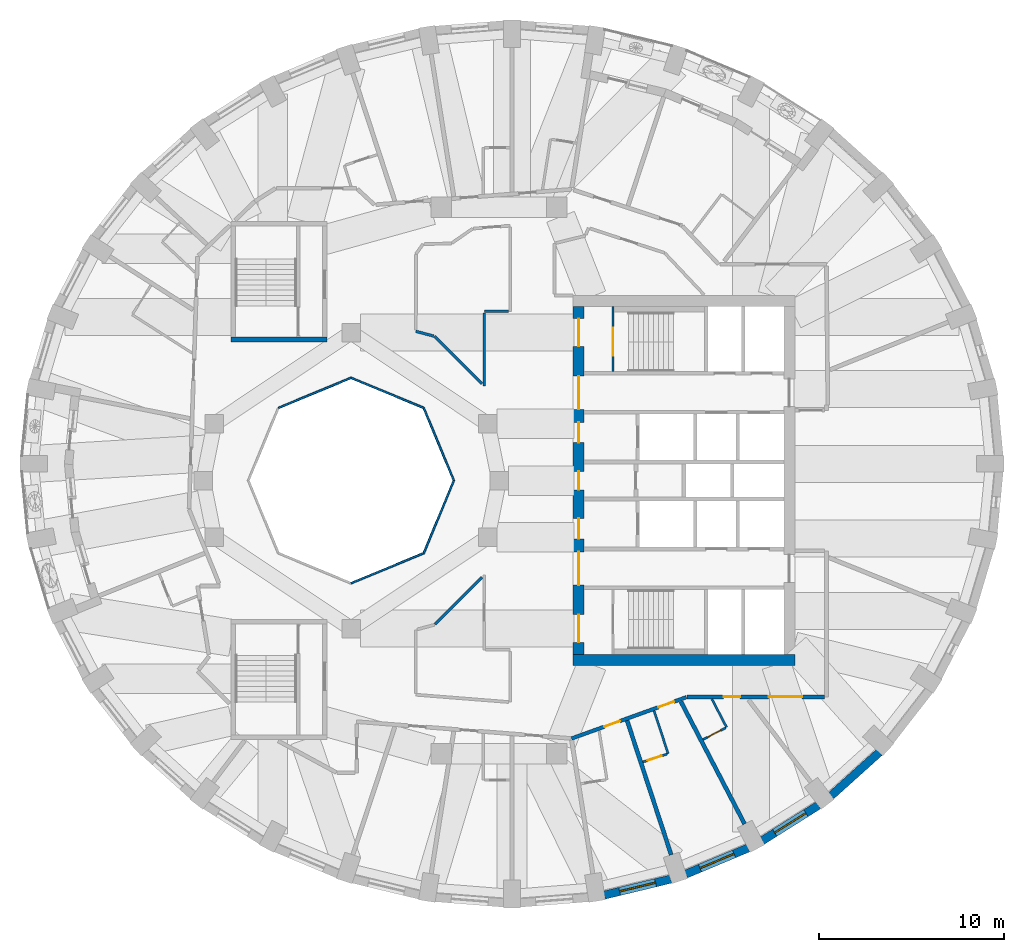
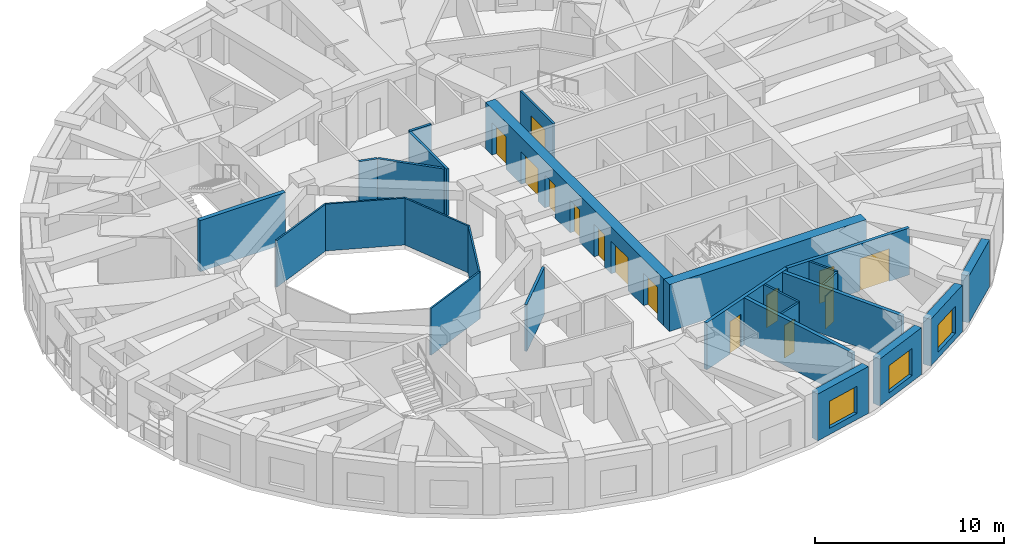
# One storey, part 5 of 12: 26 walls, 14 doors, 3 windows, 17 openings.
"""IFC4 building model written with IfcOpenShell, lengths in metres."""

from ifc_helpers import new_model, si_unit, direction, frame, frame_2d, origin, place, context, subcontext, project, spatial, rectangle, extrude, material, layer, layer_set, type_object, element, fill, save


model = new_model("IFC4")

# Units and contexts
model_context = context("Model", 3, precision=1e-05, world=origin(), true_north=direction((0.0, 1.0)))
body_context = subcontext(model_context, "Body", "Model", "MODEL_VIEW")
ifc_project = project(units=[si_unit("LENGTHUNIT", "METRE"), si_unit("AREAUNIT", "SQUARE_METRE"), si_unit("VOLUMEUNIT", "CUBIC_METRE"), si_unit("PLANEANGLEUNIT", "RADIAN"), si_unit("MASSUNIT", "GRAM", prefix="KILO")], contexts=[model_context])

# Site, building, storey
site_placement = place(None, origin())
site = spatial("IfcSite", under=ifc_project, at=site_placement, CompositionType="ELEMENT")
building_placement = place(site_placement, origin())
building = spatial("IfcBuilding", under=site, at=building_placement, Name="Taillehof Tower", CompositionType="ELEMENT")
storey_placement = place(building_placement, frame((0.0, 0.0, 189.199951171875)))
storey = spatial("IfcBuildingStorey", under=building, at=storey_placement, Name="L53", CompositionType="ELEMENT", Elevation=189.199951171875)

# Walls
ifc_material_1 = material(Name="Fire-resisting glass in steel frame", Category="steel")
ifc_layer_1 = layer(ifc_material_1, 0.10009765625)
ifc_layer_set_1 = layer_set([ifc_layer_1], Name="Atrium fire-resisting screen EI 60 100")
wall_type_1 = type_object("IfcWallType", Name="Atrium fire-resisting screen EI 60 100", PredefinedType="PARTITIONING", material=ifc_layer_set_1)
for number, where, z_axis, x_axis, name in (
    (1, (-2.44580078125, 0.0, 0.0), (0.0, 0.0, 1.0), (-0.382730523909, -0.923860025149, 0.0), "Atrium screen"),
    (2, (-4.07275390625, -3.92724609375, 0.0), (0.0, 0.0, 1.0), (-0.923860025149, -0.382730523909, 0.0), "Atrium screen"),
    (3, (-11.92724609375, 3.92724609375, 0.0), (0.0, 0.0, 1.0), (0.923860025149, 0.382730523909, 0.0), "Atrium screen"),
    (4, (-8.0, 5.55419921875, 0.0), (0.0, 0.0, 1.0), (0.923860025149, -0.382730523909, 0.0), "Atrium screen"),
    (5, (-4.07275390625, 3.92724609375, 0.0), (0.0, 0.0, 1.0), (0.382730523909, -0.923860025149, 0.0), "Atrium screen"),
):
    element("IfcWall", number, at=place(storey_placement, frame(where, z_axis=z_axis, x_axis=x_axis)), inside=storey, type_object=wall_type_1, Name=name, PredefinedType="PARTITIONING", context=body_context, shape_type="SweptSolid", body=[
        extrude(rectangle(XDim=4.2509765625, YDim=0.10009765625, at=frame_2d((2.12548828125, 0.0))), origin(), (0.0, 0.0, 1.0), 3.02001953125),
    ])

# Wall, opening, window
ifc_material_2 = material(Name="Brick masonry", Category="masonry")
ifc_layer_2 = layer(ifc_material_2, 0.449951171875)
ifc_layer_set_2 = layer_set([ifc_layer_2], Name="Brick infill wall 450")
wall_type_2 = type_object("IfcWallType", Name="Brick infill wall 450", PredefinedType="SOLIDWALL", material=ifc_layer_set_2)
wall_1_placement = place(storey_placement, frame((5.690673828125, -22.41357421875, 0.0), z_axis=(0.0, 0.0, 1.0), x_axis=(0.9721584944, 0.234324266275, 0.0)))
wall_1 = element("IfcWall", 6, at=wall_1_placement, inside=storey, type_object=wall_type_2, Name="Brick wall L53 bay 29", PredefinedType="SOLIDWALL", context=body_context, shape_type="SweptSolid", body=[
    extrude(rectangle(XDim=3.69775390625, YDim=0.449951171875, at=frame_2d((1.848876953125, 0.0))), origin(), (0.0, 0.0, 1.0), 3.02001953125),
])
opening_1_placement = place(wall_1_placement, frame((0.848876953125, 0.0, 0.39990234375)))
opening_1 = element("IfcOpeningElement", 7, at=opening_1_placement, cuts=wall_1, Name="Opening W2", PredefinedType="OPENING", context=body_context, shape_type="SweptSolid", body=[
    extrude(rectangle(XDim=2.0, YDim=1.75, at=frame_2d((1.0, 0.875))), frame((0.0, 0.23486328125, 0.0), z_axis=(0.0, -1.0, 0.0), x_axis=(1.0, 0.0, 0.0)), (0.0, 0.0, 1.0), 0.469970703125),
])
ifc_material_3 = material(Name="Aluminium window frame with clear double glazing", Category="aluminium")
window_type = type_object("IfcWindowType", Name="Deep-set window 2000x1750", PartitioningType="SINGLE_PANEL", PredefinedType="WINDOW", material=ifc_material_3)
window_1_placement = place(opening_1_placement, origin())
window_1 = element("IfcWindow", 8, at=window_1_placement, inside=storey, type_object=window_type, Name="W2", OverallHeight=1.75, OverallWidth=2.0, PartitioningType="SINGLE_PANEL", PredefinedType="WINDOW", context=body_context, shape_type="SweptSolid", body=[
    extrude(rectangle(XDim=2.0, YDim=1.75, at=frame_2d((1.0, 0.875))), frame((0.0, 0.034912109375, 0.0), z_axis=(0.0, -1.0, 0.0), x_axis=(1.0, 0.0, 0.0)), (0.0, 0.0, 1.0), 0.06005859375),
])
fill(opening_1, window_1)

wall_2_placement = place(storey_placement, frame((10.1025390625, -21.279052734375, 0.0), z_axis=(0.0, 0.0, 1.0), x_axis=(0.922168222612, 0.386789050006, 0.0)))
wall_2 = element("IfcWall", 9, at=wall_2_placement, inside=storey, type_object=wall_type_2, Name="Brick wall L53 bay 30", PredefinedType="SOLIDWALL", context=body_context, shape_type="SweptSolid", body=[
    extrude(rectangle(XDim=3.65087890625, YDim=0.449951171875, at=frame_2d((1.825439453125, 0.0))), origin(), (0.0, 0.0, 1.0), 3.02001953125),
])
opening_2_placement = place(wall_2_placement, frame((0.825439453125, 0.0, 0.39990234375)))
opening_2 = element("IfcOpeningElement", 10, at=opening_2_placement, cuts=wall_2, Name="Opening W2", PredefinedType="OPENING", context=body_context, shape_type="SweptSolid", body=[
    extrude(rectangle(XDim=2.0, YDim=1.75, at=frame_2d((1.0, 0.875))), frame((0.0, 0.23486328125, 0.0), z_axis=(0.0, -1.0, 0.0), x_axis=(1.0, 0.0, 0.0)), (0.0, 0.0, 1.0), 0.469970703125),
])
window_2_placement = place(opening_2_placement, origin())
window_2 = element("IfcWindow", 11, at=window_2_placement, inside=storey, type_object=window_type, Name="W2", OverallHeight=1.75, OverallWidth=2.0, PartitioningType="SINGLE_PANEL", PredefinedType="WINDOW", context=body_context, shape_type="SweptSolid", body=[
    extrude(rectangle(XDim=2.0, YDim=1.75, at=frame_2d((1.0, 0.875))), frame((0.0, 0.034912109375, 0.0), z_axis=(0.0, -1.0, 0.0), x_axis=(1.0, 0.0, 0.0)), (0.0, 0.0, 1.0), 0.06005859375),
])
fill(opening_2, window_2)

wall_3_placement = place(storey_placement, frame((14.232421875, -19.469970703125, 0.0), z_axis=(0.0, 0.0, 1.0), x_axis=(0.84614984472, 0.532945063098, 0.0)))
wall_3 = element("IfcWall", 12, at=wall_3_placement, inside=storey, type_object=wall_type_2, Name="Brick wall L53 bay 31", PredefinedType="SOLIDWALL", context=body_context, shape_type="SweptSolid", body=[
    extrude(rectangle(XDim=3.58642578125, YDim=0.449951171875, at=frame_2d((1.793212890625, 0.0))), origin(), (0.0, 0.0, 1.0), 3.02001953125),
])
opening_3_placement = place(wall_3_placement, frame((0.79345703125, 0.0, 0.39990234375)))
opening_3 = element("IfcOpeningElement", 13, at=opening_3_placement, cuts=wall_3, Name="Opening W2", PredefinedType="OPENING", context=body_context, shape_type="SweptSolid", body=[
    extrude(rectangle(XDim=2.0, YDim=1.75, at=frame_2d((1.0, 0.875))), frame((0.0, 0.23486328125, 0.0), z_axis=(0.0, -1.0, 0.0), x_axis=(1.0, 0.0, 0.0)), (0.0, 0.0, 1.0), 0.469970703125),
])
window_3_placement = place(opening_3_placement, origin())
window_3 = element("IfcWindow", 14, at=window_3_placement, inside=storey, type_object=window_type, Name="W2", OverallHeight=1.75, OverallWidth=2.0, PartitioningType="SINGLE_PANEL", PredefinedType="WINDOW", context=body_context, shape_type="SweptSolid", body=[
    extrude(rectangle(XDim=2.0, YDim=1.75, at=frame_2d((1.0, 0.875))), frame((0.0, 0.034912109375, 0.0), z_axis=(0.0, -1.0, 0.0), x_axis=(1.0, 0.0, 0.0)), (0.0, 0.0, 1.0), 0.06005859375),
])
fill(opening_3, window_3)

# Wall
wall_4_placement = place(storey_placement, frame((17.953369140625, -17.039794921875, 0.0), z_axis=(0.0, 0.0, 1.0), x_axis=(0.743442727602, 0.668799604348, 0.0)))
element("IfcWall", 15, at=wall_4_placement, inside=storey, type_object=wall_type_2, Name="Brick wall L53 bay 32", PredefinedType="SOLIDWALL", context=body_context, shape_type="SweptSolid", body=[
    extrude(rectangle(XDim=3.5126953125, YDim=0.449951171875, at=frame_2d((1.75634765625, 0.0))), origin(), (0.0, 0.0, 1.0), 3.02001953125),
])

# Wall, openings, doors
ifc_material_4 = material(Name="Gypsum board on steel studs, two layers each side", Category="steel")
ifc_layer_3 = layer(ifc_material_4, 0.199951171875)
ifc_layer_set_3 = layer_set([ifc_layer_3], Name="Compartment wall corridor 200")
wall_type_3 = type_object("IfcWallType", Name="Compartment wall corridor 200", PredefinedType="PARTITIONING", material=ifc_layer_set_3)
wall_5_placement = place(storey_placement, frame((17.599853515625, -11.699951171875, 0.0), z_axis=(0.0, 0.0, 1.0), x_axis=(-1.0, 0.0, 0.0)))
wall_5 = element("IfcWall", 16, at=wall_5_placement, inside=storey, type_object=wall_type_3, Name="Compartment wall", PredefinedType="PARTITIONING", context=body_context, shape_type="SweptSolid", body=[
    extrude(rectangle(XDim=7.43701171875, YDim=0.199951171875, at=frame_2d((3.718505859375, 0.0))), origin(), (0.0, 0.0, 1.0), 3.02001953125),
])
opening_4_placement = place(wall_5_placement, frame((4.56201171875, 0.0, 0.0)))
opening_4 = element("IfcOpeningElement", 17, at=opening_4_placement, cuts=wall_5, Name="Opening D5366", PredefinedType="OPENING", context=body_context, shape_type="SweptSolid", body=[
    extrude(rectangle(XDim=0.89990234375, YDim=2.10009765625, at=frame_2d((0.449951171875, 1.050048828125))), frame((0.0, 0.10986328125, 0.0), z_axis=(0.0, -1.0, 0.0), x_axis=(1.0, 0.0, 0.0)), (0.0, 0.0, 1.0), 0.219970703125),
])
opening_5_placement = place(wall_5_placement, frame((1.220458984375, 0.0, 0.0)))
opening_5 = element("IfcOpeningElement", 18, at=opening_5_placement, cuts=wall_5, Name="Opening D5368", PredefinedType="OPENING", context=body_context, shape_type="SweptSolid", body=[
    extrude(rectangle(XDim=1.800048828125, YDim=2.10009765625, at=frame_2d((0.89990234375, 1.050048828125))), frame((0.0, 0.10986328125, 0.0), z_axis=(0.0, -1.0, 0.0), x_axis=(1.0, 0.0, 0.0)), (0.0, 0.0, 1.0), 0.219970703125),
])
ifc_material_5 = material(Name="Timber door leaf in steel frame", Category="steel")
door_type_1 = type_object("IfcDoorType", Name="Guest room door EI 30 900 x 2100", OperationType="SINGLE_SWING_LEFT", PredefinedType="DOOR", material=ifc_material_5)
door_1_placement = place(opening_4_placement, origin())
door_1 = element("IfcDoor", 19, at=door_1_placement, inside=storey, type_object=door_type_1, Name="D5366", OperationType="SINGLE_SWING_LEFT", OverallHeight=2.10009765625, OverallWidth=0.89990234375, PredefinedType="DOOR", context=body_context, shape_type="SweptSolid", body=[
    extrude(rectangle(XDim=0.89990234375, YDim=2.10009765625, at=frame_2d((0.449951171875, 1.050048828125))), frame((0.0, 0.02490234375, 0.0), z_axis=(0.0, -1.0, 0.0), x_axis=(1.0, 0.0, 0.0)), (0.0, 0.0, 1.0), 0.050048828125),
])
fill(opening_4, door_1)
ifc_material_6 = material(Name="Timber door leaf in steel frame", Category="steel")
door_type_2 = type_object("IfcDoorType", Name="Lounge and meeting room double door EI 30 1800 x 2100", OperationType="SINGLE_SWING_LEFT", PredefinedType="DOOR", material=ifc_material_6)
door_2_placement = place(opening_5_placement, origin())
door_2 = element("IfcDoor", 20, at=door_2_placement, inside=storey, type_object=door_type_2, Name="D5368", OperationType="DOUBLE_DOOR_SINGLE_SWING", OverallHeight=2.10009765625, OverallWidth=1.800048828125, PredefinedType="DOOR", context=body_context, shape_type="SweptSolid", body=[
    extrude(rectangle(XDim=1.800048828125, YDim=2.10009765625, at=frame_2d((0.89990234375, 1.050048828125))), frame((0.0, 0.02490234375, 0.0), z_axis=(0.0, -1.0, 0.0), x_axis=(1.0, 0.0, 0.0)), (0.0, 0.0, 1.0), 0.050048828125),
])
fill(opening_5, door_2)

wall_6_placement = place(storey_placement, frame((10.125244140625, -11.713623046875, 0.0), z_axis=(0.0, 0.0, 1.0), x_axis=(-0.940958661946, -0.338521486038, 0.0)))
wall_6 = element("IfcWall", 21, at=wall_6_placement, inside=storey, type_object=wall_type_3, Name="Compartment wall", PredefinedType="PARTITIONING", context=body_context, shape_type="SweptSolid", body=[
    extrude(rectangle(XDim=6.593994140625, YDim=0.199951171875, at=frame_2d((3.296875, 0.0))), origin(), (0.0, 0.0, 1.0), 3.02001953125),
])
opening_6_placement = place(wall_6_placement, frame((3.808837890625, 0.0, 0.0)))
opening_6 = element("IfcOpeningElement", 22, at=opening_6_placement, cuts=wall_6, Name="Opening D5362", PredefinedType="OPENING", context=body_context, shape_type="SweptSolid", body=[
    extrude(rectangle(XDim=0.89990234375, YDim=2.10009765625, at=frame_2d((0.449951171875, 1.050048828125))), frame((0.0, 0.10986328125, 0.0), z_axis=(0.0, -1.0, 0.0), x_axis=(1.0, 0.0, 0.0)), (0.0, 0.0, 1.0), 0.219970703125),
])
opening_7_placement = place(wall_6_placement, frame((0.70556640625, 0.0, 0.0)))
opening_7 = element("IfcOpeningElement", 23, at=opening_7_placement, cuts=wall_6, Name="Opening D5364", PredefinedType="OPENING", context=body_context, shape_type="SweptSolid", body=[
    extrude(rectangle(XDim=0.89990234375, YDim=2.10009765625, at=frame_2d((0.449951171875, 1.050048828125))), frame((0.0, 0.10986328125, 0.0), z_axis=(0.0, -1.0, 0.0), x_axis=(1.0, 0.0, 0.0)), (0.0, 0.0, 1.0), 0.219970703125),
])
door_3_placement = place(opening_6_placement, origin())
door_3 = element("IfcDoor", 24, at=door_3_placement, inside=storey, type_object=door_type_1, Name="D5362", OperationType="SINGLE_SWING_LEFT", OverallHeight=2.10009765625, OverallWidth=0.89990234375, PredefinedType="DOOR", context=body_context, shape_type="SweptSolid", body=[
    extrude(rectangle(XDim=0.89990234375, YDim=2.10009765625, at=frame_2d((0.449951171875, 1.050048828125))), frame((0.0, 0.02490234375, 0.0), z_axis=(0.0, -1.0, 0.0), x_axis=(1.0, 0.0, 0.0)), (0.0, 0.0, 1.0), 0.050048828125),
])
fill(opening_6, door_3)
door_4_placement = place(opening_7_placement, origin())
door_4 = element("IfcDoor", 25, at=door_4_placement, inside=storey, type_object=door_type_1, Name="D5364", OperationType="SINGLE_SWING_LEFT", OverallHeight=2.10009765625, OverallWidth=0.89990234375, PredefinedType="DOOR", context=body_context, shape_type="SweptSolid", body=[
    extrude(rectangle(XDim=0.89990234375, YDim=2.10009765625, at=frame_2d((0.449951171875, 1.050048828125))), frame((0.0, 0.02490234375, 0.0), z_axis=(0.0, -1.0, 0.0), x_axis=(1.0, 0.0, 0.0)), (0.0, 0.0, 1.0), 0.050048828125),
])
fill(opening_7, door_4)

# Walls
ifc_material_7 = material(Name="Gypsum board on double steel studs with mineral wool", Category="steel")
ifc_layer_4 = layer(ifc_material_7, 0.219970703125)
ifc_layer_set_4 = layer_set([ifc_layer_4], Name="Compartment wall guest room 220")
wall_type_4 = type_object("IfcWallType", Name="Compartment wall guest room 220", PredefinedType="PARTITIONING", material=ifc_layer_set_4)
wall_7_placement = place(storey_placement, frame((9.30712890625, -20.2353515625, 0.0), z_axis=(0.0, 0.0, 1.0), x_axis=(-0.311980340154, 0.950088557639, 0.0)))
element("IfcWall", 26, at=wall_7_placement, inside=storey, type_object=wall_type_4, Name="Compartment wall", PredefinedType="PARTITIONING", context=body_context, shape_type="SweptSolid", body=[
    extrude(rectangle(XDim=7.644775390625, YDim=0.219970703125, at=frame_2d((3.822265625, 0.0))), origin(), (0.0, 0.0, 1.0), 3.02001953125),
])
wall_8_placement = place(storey_placement, frame((13.278564453125, -18.56982421875, 0.0), z_axis=(0.0, 0.0, 1.0), x_axis=(-0.461996036885, 0.886881988712, 0.0)))
element("IfcWall", 27, at=wall_8_placement, inside=storey, type_object=wall_type_4, Name="Compartment wall", PredefinedType="PARTITIONING", context=body_context, shape_type="SweptSolid", body=[
    extrude(rectangle(XDim=7.467041015625, YDim=0.219970703125, at=frame_2d((3.7333984375, 0.0))), origin(), (0.0, 0.0, 1.0), 3.02001953125),
])
ifc_material_8 = material(Name="Gypsum board on steel studs, two layers each side", Category="steel")
ifc_layer_5 = layer(ifc_material_8, 0.14990234375)
ifc_layer_set_5 = layer_set([ifc_layer_5], Name="Compartment wall service room 150")
wall_type_5 = type_object("IfcWallType", Name="Compartment wall service room 150", PredefinedType="PARTITIONING", material=ifc_layer_set_5)
wall_9_placement = place(storey_placement, frame((0.52001953125, 9.14990234375, 0.0), z_axis=(0.0, 0.0, 1.0), x_axis=(-1.0, 0.0, 0.0)))
element("IfcWall", 28, at=wall_9_placement, inside=storey, type_object=wall_type_5, Name="Compartment wall", PredefinedType="PARTITIONING", context=body_context, shape_type="SweptSolid", body=[
    extrude(rectangle(XDim=1.320068359375, YDim=0.14990234375, at=frame_2d((0.66015625, 0.0))), origin(), (0.0, 0.0, 1.0), 3.02001953125),
])
wall_10_placement = place(storey_placement, frame((-0.800048828125, 9.06982421875, 0.0), z_axis=(0.0, 0.0, 1.0), x_axis=(0.0, -1.0, 0.0)))
element("IfcWall", 29, at=wall_10_placement, inside=storey, type_object=wall_type_5, Name="Compartment wall", PredefinedType="PARTITIONING", context=body_context, shape_type="SweptSolid", body=[
    extrude(rectangle(XDim=3.966064453125, YDim=0.14990234375, at=frame_2d((1.98291015625, 0.0))), origin(), (0.0, 0.0, 1.0), 3.02001953125),
])
wall_11_placement = place(storey_placement, frame((-0.927490234375, 5.231201171875, 0.0), z_axis=(0.0, 0.0, 1.0), x_axis=(-0.707106781187, 0.707106781187, 0.0)))
element("IfcWall", 30, at=wall_11_placement, inside=storey, type_object=wall_type_5, Name="Compartment wall", PredefinedType="PARTITIONING", context=body_context, shape_type="SweptSolid", body=[
    extrude(rectangle(XDim=3.63330078125, YDim=0.14990234375, at=frame_2d((1.816650390625, 0.0))), origin(), (0.0, 0.0, 1.0), 3.02001953125),
])
wall_12_placement = place(storey_placement, frame((-3.53515625, 7.810546875, 0.0), z_axis=(0.0, 0.0, 1.0), x_axis=(-0.965921867197, 0.258833820183, 0.0)))
element("IfcWall", 31, at=wall_12_placement, inside=storey, type_object=wall_type_5, Name="Compartment wall", PredefinedType="PARTITIONING", context=body_context, shape_type="SweptSolid", body=[
    extrude(rectangle(XDim=0.998779296875, YDim=0.14990234375, at=frame_2d((0.49951171875, 0.0))), origin(), (0.0, 0.0, 1.0), 3.02001953125),
])
wall_13_placement = place(storey_placement, frame((-3.46826171875, -7.77197265625, 0.0), z_axis=(0.0, 0.0, 1.0), x_axis=(0.707106781187, 0.707106781187, 0.0)))
element("IfcWall", 32, at=wall_13_placement, inside=storey, type_object=wall_type_5, Name="Compartment wall", PredefinedType="PARTITIONING", context=body_context, shape_type="SweptSolid", body=[
    extrude(rectangle(XDim=3.59326171875, YDim=0.14990234375, at=frame_2d((1.796630859375, 0.0))), origin(), (0.0, 0.0, 1.0), 3.02001953125),
])

# Wall, openings, doors
ifc_material_9 = material(Name="Concrete C80/95", Category="concrete")
ifc_layer_6 = layer(ifc_material_9, 0.60009765625)
ifc_layer_set_6 = layer_set([ifc_layer_6], Name="Core wall C80/95 600")
wall_type_6 = type_object("IfcWallType", Name="Core wall C80/95 600", PredefinedType="SHEAR", material=ifc_layer_set_6)
wall_14_placement = place(storey_placement, frame((4.300048828125, -9.39990234375, 0.0), z_axis=(0.0, 0.0, 1.0), x_axis=(0.0, 1.0, 0.0)))
wall_14 = element("IfcWall", 33, at=wall_14_placement, inside=storey, type_object=wall_type_6, Name="Core wall CW01", PredefinedType="SHEAR", context=body_context, shape_type="SweptSolid", body=[
    extrude(rectangle(XDim=18.7998046875, YDim=0.60009765625, at=frame_2d((9.39990234375, 0.0))), origin(), (0.0, 0.0, 1.0), 3.02001953125),
])
opening_8_placement = place(wall_14_placement, frame((0.64990234375, 0.0, 0.0)))
opening_8 = element("IfcOpeningElement", 34, at=opening_8_placement, cuts=wall_14, Name="Opening D5301", PredefinedType="OPENING", context=body_context, shape_type="SweptSolid", body=[
    extrude(rectangle(XDim=1.5, YDim=2.10009765625, at=frame_2d((0.75, 1.050048828125))), frame((0.0, 0.31005859375, 0.0), z_axis=(0.0, -1.0, 0.0), x_axis=(1.0, 0.0, 0.0)), (0.0, 0.0, 1.0), 0.6201171875),
])
opening_9_placement = place(wall_14_placement, frame((3.75, 0.0, 0.0)))
opening_9 = element("IfcOpeningElement", 35, at=opening_9_placement, cuts=wall_14, Name="Opening D5302", PredefinedType="OPENING", context=body_context, shape_type="SweptSolid", body=[
    extrude(rectangle(XDim=1.800048828125, YDim=2.10009765625, at=frame_2d((0.89990234375, 1.050048828125))), frame((0.0, 0.31005859375, 0.0), z_axis=(0.0, -1.0, 0.0), x_axis=(1.0, 0.0, 0.0)), (0.0, 0.0, 1.0), 0.6201171875),
])
opening_10_placement = place(wall_14_placement, frame((6.25, 0.0, 0.0)))
opening_10 = element("IfcOpeningElement", 36, at=opening_10_placement, cuts=wall_14, Name="Opening D5303", PredefinedType="OPENING", context=body_context, shape_type="SweptSolid", body=[
    extrude(rectangle(XDim=1.10009765625, YDim=2.10009765625, at=frame_2d((0.550048828125, 1.050048828125))), frame((0.0, 0.31005859375, 0.0), z_axis=(0.0, -1.0, 0.0), x_axis=(1.0, 0.0, 0.0)), (0.0, 0.0, 1.0), 0.6201171875),
])
opening_11_placement = place(wall_14_placement, frame((8.89990234375, 0.0, 0.0)))
opening_11 = element("IfcOpeningElement", 37, at=opening_11_placement, cuts=wall_14, Name="Opening D5304", PredefinedType="OPENING", context=body_context, shape_type="SweptSolid", body=[
    extrude(rectangle(XDim=1.0, YDim=2.10009765625, at=frame_2d((0.5, 1.050048828125))), frame((0.0, 0.31005859375, 0.0), z_axis=(0.0, -1.0, 0.0), x_axis=(1.0, 0.0, 0.0)), (0.0, 0.0, 1.0), 0.6201171875),
])
opening_12_placement = place(wall_14_placement, frame((11.449951171875, 0.0, 0.0)))
opening_12 = element("IfcOpeningElement", 38, at=opening_12_placement, cuts=wall_14, Name="Opening D5305", PredefinedType="OPENING", context=body_context, shape_type="SweptSolid", body=[
    extrude(rectangle(XDim=1.10009765625, YDim=2.10009765625, at=frame_2d((0.550048828125, 1.050048828125))), frame((0.0, 0.31005859375, 0.0), z_axis=(0.0, -1.0, 0.0), x_axis=(1.0, 0.0, 0.0)), (0.0, 0.0, 1.0), 0.6201171875),
])
opening_13_placement = place(wall_14_placement, frame((13.25, 0.0, 0.0)))
opening_13 = element("IfcOpeningElement", 39, at=opening_13_placement, cuts=wall_14, Name="Opening D5306", PredefinedType="OPENING", context=body_context, shape_type="SweptSolid", body=[
    extrude(rectangle(XDim=1.800048828125, YDim=2.10009765625, at=frame_2d((0.89990234375, 1.050048828125))), frame((0.0, 0.31005859375, 0.0), z_axis=(0.0, -1.0, 0.0), x_axis=(1.0, 0.0, 0.0)), (0.0, 0.0, 1.0), 0.6201171875),
])
opening_14_placement = place(wall_14_placement, frame((16.64990234375, 0.0, 0.0)))
opening_14 = element("IfcOpeningElement", 40, at=opening_14_placement, cuts=wall_14, Name="Opening D5307", PredefinedType="OPENING", context=body_context, shape_type="SweptSolid", body=[
    extrude(rectangle(XDim=1.5, YDim=2.10009765625, at=frame_2d((0.75, 1.050048828125))), frame((0.0, 0.31005859375, 0.0), z_axis=(0.0, -1.0, 0.0), x_axis=(1.0, 0.0, 0.0)), (0.0, 0.0, 1.0), 0.6201171875),
])
ifc_material_10 = material(Name="Steel-faced fire door", Category="steel")
door_type_3 = type_object("IfcDoorType", Name="Firefighting lobby door 1100x2100", OperationType="SINGLE_SWING_RIGHT", PredefinedType="DOOR", material=ifc_material_10)
door_5_placement = place(opening_10_placement, origin())
door_5 = element("IfcDoor", 41, at=door_5_placement, inside=storey, type_object=door_type_3, Name="Firefighting lobby door FFL-S", OperationType="SINGLE_SWING_RIGHT", OverallHeight=2.10009765625, OverallWidth=1.10009765625, PredefinedType="DOOR", context=body_context, shape_type="SweptSolid", body=[
    extrude(rectangle(XDim=1.10009765625, YDim=2.10009765625, at=frame_2d((0.550048828125, 1.050048828125))), frame((0.0, 0.02490234375, 0.0), z_axis=(0.0, -1.0, 0.0), x_axis=(1.0, 0.0, 0.0)), (0.0, 0.0, 1.0), 0.050048828125),
])
fill(opening_10, door_5)
door_6_placement = place(opening_12_placement, origin())
door_6 = element("IfcDoor", 42, at=door_6_placement, inside=storey, type_object=door_type_3, Name="Firefighting lobby door FFL-N", OperationType="SINGLE_SWING_LEFT", OverallHeight=2.10009765625, OverallWidth=1.10009765625, PredefinedType="DOOR", context=body_context, shape_type="SweptSolid", body=[
    extrude(rectangle(XDim=1.10009765625, YDim=2.10009765625, at=frame_2d((0.550048828125, 1.050048828125))), frame((0.0, 0.02490234375, 0.0), z_axis=(0.0, -1.0, 0.0), x_axis=(1.0, 0.0, 0.0)), (0.0, 0.0, 1.0), 0.050048828125),
])
fill(opening_12, door_6)
ifc_material_11 = material(Name="Steel-faced fire door", Category="steel")
door_type_4 = type_object("IfcDoorType", Name="Lift lobby door 1800x2100", OperationType="DOUBLE_DOOR_SINGLE_SWING", PredefinedType="DOOR", material=ifc_material_11)
door_7_placement = place(opening_9_placement, origin())
door_7 = element("IfcDoor", 43, at=door_7_placement, inside=storey, type_object=door_type_4, Name="Lift lobby door LL-S", OperationType="DOUBLE_DOOR_SINGLE_SWING", OverallHeight=2.10009765625, OverallWidth=1.800048828125, PredefinedType="DOOR", context=body_context, shape_type="SweptSolid", body=[
    extrude(rectangle(XDim=1.800048828125, YDim=2.10009765625, at=frame_2d((0.89990234375, 1.050048828125))), frame((0.0, 0.02490234375, 0.0), z_axis=(0.0, -1.0, 0.0), x_axis=(1.0, 0.0, 0.0)), (0.0, 0.0, 1.0), 0.050048828125),
])
fill(opening_9, door_7)
door_8_placement = place(opening_13_placement, origin())
door_8 = element("IfcDoor", 44, at=door_8_placement, inside=storey, type_object=door_type_4, Name="Lift lobby door LL-N", OperationType="DOUBLE_DOOR_SINGLE_SWING", OverallHeight=2.10009765625, OverallWidth=1.800048828125, PredefinedType="DOOR", context=body_context, shape_type="SweptSolid", body=[
    extrude(rectangle(XDim=1.800048828125, YDim=2.10009765625, at=frame_2d((0.89990234375, 1.050048828125))), frame((0.0, 0.02490234375, 0.0), z_axis=(0.0, -1.0, 0.0), x_axis=(1.0, 0.0, 0.0)), (0.0, 0.0, 1.0), 0.050048828125),
])
fill(opening_13, door_8)
ifc_material_12 = material(Name="Steel-faced fire door", Category="steel")
door_type_5 = type_object("IfcDoorType", Name="Service door 1000x2100", OperationType="SINGLE_SWING_RIGHT", PredefinedType="DOOR", material=ifc_material_12)
door_9_placement = place(opening_11_placement, origin())
door_9 = element("IfcDoor", 45, at=door_9_placement, inside=storey, type_object=door_type_5, Name="Service door SV", OperationType="SINGLE_SWING_RIGHT", OverallHeight=2.10009765625, OverallWidth=1.0, PredefinedType="DOOR", context=body_context, shape_type="SweptSolid", body=[
    extrude(rectangle(XDim=1.0, YDim=2.10009765625, at=frame_2d((0.5, 1.050048828125))), frame((0.0, 0.02490234375, 0.0), z_axis=(0.0, -1.0, 0.0), x_axis=(1.0, 0.0, 0.0)), (0.0, 0.0, 1.0), 0.050048828125),
])
fill(opening_11, door_9)
ifc_material_13 = material(Name="Steel-faced fire door", Category="steel")
door_type_6 = type_object("IfcDoorType", Name="Stair door 1500x2100", OperationType="DOUBLE_DOOR_SINGLE_SWING", PredefinedType="DOOR", material=ifc_material_13)
door_10_placement = place(opening_8_placement, origin())
door_10 = element("IfcDoor", 46, at=door_10_placement, inside=storey, type_object=door_type_6, Name="Stair door S2", OperationType="DOUBLE_DOOR_SINGLE_SWING", OverallHeight=2.10009765625, OverallWidth=1.5, PredefinedType="DOOR", context=body_context, shape_type="SweptSolid", body=[
    extrude(rectangle(XDim=1.5, YDim=2.10009765625, at=frame_2d((0.75, 1.050048828125))), frame((0.0, 0.02490234375, 0.0), z_axis=(0.0, -1.0, 0.0), x_axis=(1.0, 0.0, 0.0)), (0.0, 0.0, 1.0), 0.050048828125),
])
fill(opening_8, door_10)
door_11_placement = place(opening_14_placement, origin())
door_11 = element("IfcDoor", 47, at=door_11_placement, inside=storey, type_object=door_type_6, Name="Stair door S1", OperationType="DOUBLE_DOOR_SINGLE_SWING", OverallHeight=2.10009765625, OverallWidth=1.5, PredefinedType="DOOR", context=body_context, shape_type="SweptSolid", body=[
    extrude(rectangle(XDim=1.5, YDim=2.10009765625, at=frame_2d((0.75, 1.050048828125))), frame((0.0, 0.02490234375, 0.0), z_axis=(0.0, -1.0, 0.0), x_axis=(1.0, 0.0, 0.0)), (0.0, 0.0, 1.0), 0.050048828125),
])
fill(opening_14, door_11)

# Walls
wall_15_placement = place(storey_placement, frame((4.0, -9.699951171875, 0.0), z_axis=(0.0, 0.0, 1.0), x_axis=(1.0, 0.0, 0.0)))
element("IfcWall", 48, at=wall_15_placement, inside=storey, type_object=wall_type_6, Name="Core wall CW07", PredefinedType="SHEAR", context=body_context, shape_type="SweptSolid", body=[
    extrude(rectangle(XDim=12.0, YDim=0.60009765625, at=frame_2d((6.0, 0.0))), origin(), (0.0, 0.0, 1.0), 3.02001953125),
])
ifc_material_14 = material(Name="Gypsum board on steel studs, moisture resistant", Category="steel")
ifc_layer_7 = layer(ifc_material_14, 0.1201171875)
ifc_layer_set_7 = layer_set([ifc_layer_7], Name="En-suite wall 120")
wall_type_7 = type_object("IfcWallType", Name="En-suite wall 120", PredefinedType="PARTITIONING", material=ifc_layer_set_7)
wall_16_placement = place(storey_placement, frame((8.381103515625, -12.447265625, 0.0), z_axis=(0.0, 0.0, 1.0), x_axis=(0.312028325996, -0.950072799198, 0.0)))
element("IfcWall", 49, at=wall_16_placement, inside=storey, type_object=wall_type_7, Name="En-suite wall", PredefinedType="PARTITIONING", context=body_context, shape_type="SweptSolid", body=[
    extrude(rectangle(XDim=2.443603515625, YDim=0.1201171875, at=frame_2d((1.2216796875, 0.0))), origin(), (0.0, 0.0, 1.0), 3.02001953125),
])
wall_17_placement = place(storey_placement, frame((11.5087890625, -11.81787109375, 0.0), z_axis=(0.0, 0.0, 1.0), x_axis=(0.461987980812, -0.886886185249, 0.0)))
element("IfcWall", 50, at=wall_17_placement, inside=storey, type_object=wall_type_7, Name="En-suite wall", PredefinedType="PARTITIONING", context=body_context, shape_type="SweptSolid", body=[
    extrude(rectangle(XDim=1.718017578125, YDim=0.1201171875, at=frame_2d((0.85888671875, 0.0))), origin(), (0.0, 0.0, 1.0), 3.02001953125),
])

# Wall, opening, door
wall_18_placement = place(storey_placement, frame((9.086669921875, -14.78759765625, 0.0), z_axis=(0.0, 0.0, 1.0), x_axis=(-0.950123887932, -0.311872726573, 0.0)))
wall_18 = element("IfcWall", 51, at=wall_18_placement, inside=storey, type_object=wall_type_7, Name="En-suite wall", PredefinedType="PARTITIONING", context=body_context, shape_type="SweptSolid", body=[
    extrude(rectangle(XDim=1.380126953125, YDim=0.1201171875, at=frame_2d((0.68994140625, 0.0))), origin(), (0.0, 0.0, 1.0), 3.02001953125),
])
opening_15_placement = place(wall_18_placement, frame((0.315185546875, 0.0, 0.0)))
opening_15 = element("IfcOpeningElement", 52, at=opening_15_placement, cuts=wall_18, Name="Opening D5365", PredefinedType="OPENING", context=body_context, shape_type="SweptSolid", body=[
    extrude(rectangle(XDim=0.800048828125, YDim=2.10009765625, at=frame_2d((0.39990234375, 1.050048828125))), frame((0.0, 0.070068359375, 0.0), z_axis=(0.0, -1.0, 0.0), x_axis=(1.0, 0.0, 0.0)), (0.0, 0.0, 1.0), 0.14013671875),
])
ifc_material_15 = material(Name="Timber door leaf in steel frame", Category="steel")
door_type_7 = type_object("IfcDoorType", Name="En-suite door 800 x 2100", OperationType="SINGLE_SWING_LEFT", PredefinedType="DOOR", material=ifc_material_15)
door_12_placement = place(opening_15_placement, origin())
door_12 = element("IfcDoor", 53, at=door_12_placement, inside=storey, type_object=door_type_7, Name="D5365", OperationType="SINGLE_SWING_RIGHT", OverallHeight=2.10009765625, OverallWidth=0.800048828125, PredefinedType="DOOR", context=body_context, shape_type="SweptSolid", body=[
    extrude(rectangle(XDim=0.800048828125, YDim=2.10009765625, at=frame_2d((0.39990234375, 1.050048828125))), frame((0.0, 0.02490234375, 0.0), z_axis=(0.0, -1.0, 0.0), x_axis=(1.0, 0.0, 0.0)), (0.0, 0.0, 1.0), 0.050048828125),
])
fill(opening_15, door_12)

wall_19_placement = place(storey_placement, frame((12.2490234375, -13.369384765625, 0.0), z_axis=(0.0, 0.0, 1.0), x_axis=(-0.886834011057, -0.462088126695, 0.0)))
wall_19 = element("IfcWall", 54, at=wall_19_placement, inside=storey, type_object=wall_type_7, Name="En-suite wall", PredefinedType="PARTITIONING", context=body_context, shape_type="SweptSolid", body=[
    extrude(rectangle(XDim=1.37939453125, YDim=0.1201171875, at=frame_2d((0.689697265625, 0.0))), origin(), (0.0, 0.0, 1.0), 3.02001953125),
])
opening_16_placement = place(wall_19_placement, frame((0.314697265625, 0.0, 0.0)))
opening_16 = element("IfcOpeningElement", 55, at=opening_16_placement, cuts=wall_19, Name="Opening D5367", PredefinedType="OPENING", context=body_context, shape_type="SweptSolid", body=[
    extrude(rectangle(XDim=0.800048828125, YDim=2.10009765625, at=frame_2d((0.39990234375, 1.050048828125))), frame((0.0, 0.070068359375, 0.0), z_axis=(0.0, -1.0, 0.0), x_axis=(1.0, 0.0, 0.0)), (0.0, 0.0, 1.0), 0.14013671875),
])
door_13_placement = place(opening_16_placement, origin())
door_13 = element("IfcDoor", 56, at=door_13_placement, inside=storey, type_object=door_type_7, Name="D5367", OperationType="SINGLE_SWING_RIGHT", OverallHeight=2.10009765625, OverallWidth=0.800048828125, PredefinedType="DOOR", context=body_context, shape_type="SweptSolid", body=[
    extrude(rectangle(XDim=0.800048828125, YDim=2.10009765625, at=frame_2d((0.39990234375, 1.050048828125))), frame((0.0, 0.02490234375, 0.0), z_axis=(0.0, -1.0, 0.0), x_axis=(1.0, 0.0, 0.0)), (0.0, 0.0, 1.0), 0.050048828125),
])
fill(opening_16, door_13)

ifc_material_16 = material(Name="Concrete C50/60", Category="concrete")
ifc_layer_8 = layer(ifc_material_16, 0.1201171875)
ifc_layer_set_8 = layer_set([ifc_layer_8], Name="Stair lobby wall C50/60 120")
wall_type_8 = type_object("IfcWallType", Name="Stair lobby wall C50/60 120", PredefinedType="SHEAR", material=ifc_layer_set_8)
wall_20_placement = place(storey_placement, frame((6.159912109375, 5.89990234375, 0.0), z_axis=(0.0, 0.0, 1.0), x_axis=(0.0, 1.0, 0.0)))
wall_20 = element("IfcWall", 57, at=wall_20_placement, inside=storey, type_object=wall_type_8, Name="Compartment wall SW", PredefinedType="SHEAR", context=body_context, shape_type="SweptSolid", body=[
    extrude(rectangle(XDim=3.5, YDim=0.1201171875, at=frame_2d((1.75, 0.0))), origin(), (0.0, 0.0, 1.0), 3.02001953125),
])
opening_17_placement = place(wall_20_placement, frame((0.85009765625, 0.0, 0.0)))
opening_17 = element("IfcOpeningElement", 58, at=opening_17_placement, cuts=wall_20, Name="Opening D5310", PredefinedType="OPENING", context=body_context, shape_type="SweptSolid", body=[
    extrude(rectangle(XDim=1.5, YDim=2.10009765625, at=frame_2d((0.75, 1.050048828125))), frame((0.0, 0.070068359375, 0.0), z_axis=(0.0, -1.0, 0.0), x_axis=(1.0, 0.0, 0.0)), (0.0, 0.0, 1.0), 0.14013671875),
])
door_14_placement = place(opening_17_placement, origin())
door_14 = element("IfcDoor", 59, at=door_14_placement, inside=storey, type_object=door_type_6, Name="Stair lobby door S1", OperationType="DOUBLE_DOOR_SINGLE_SWING", OverallHeight=2.10009765625, OverallWidth=1.5, PredefinedType="DOOR", context=body_context, shape_type="SweptSolid", body=[
    extrude(rectangle(XDim=1.5, YDim=2.10009765625, at=frame_2d((0.75, 1.050048828125))), frame((0.0, 0.02490234375, 0.0), z_axis=(0.0, -1.0, 0.0), x_axis=(1.0, 0.0, 0.0)), (0.0, 0.0, 1.0), 0.050048828125),
])
fill(opening_17, door_14)

# Wall
ifc_material_17 = material(Name="Concrete C50/60", Category="concrete")
ifc_layer_9 = layer(ifc_material_17, 0.25)
ifc_layer_set_9 = layer_set([ifc_layer_9], Name="Stair wall C50/60 250")
wall_type_9 = type_object("IfcWallType", Name="Stair wall C50/60 250", PredefinedType="SHEAR", material=ifc_layer_set_9)
wall_21_placement = place(storey_placement, frame((-14.5, 7.625, -0.280029296875), z_axis=(0.0, 0.0, 1.0), x_axis=(1.0, 0.0, 0.0)))
element("IfcWall", 60, at=wall_21_placement, inside=storey, type_object=wall_type_9, Name="Stair wall SC", PredefinedType="SHEAR", context=body_context, shape_type="SweptSolid", body=[
    extrude(rectangle(XDim=5.199951171875, YDim=0.25, at=frame_2d((2.60009765625, 0.0))), origin(), (0.0, 0.0, 1.0), 3.300048828125),
])

save(model, "model.ifc")
